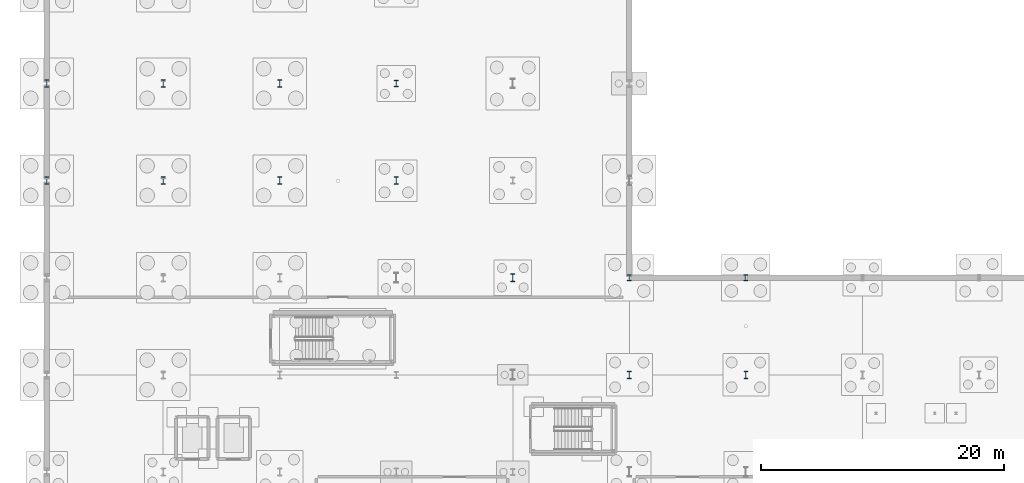
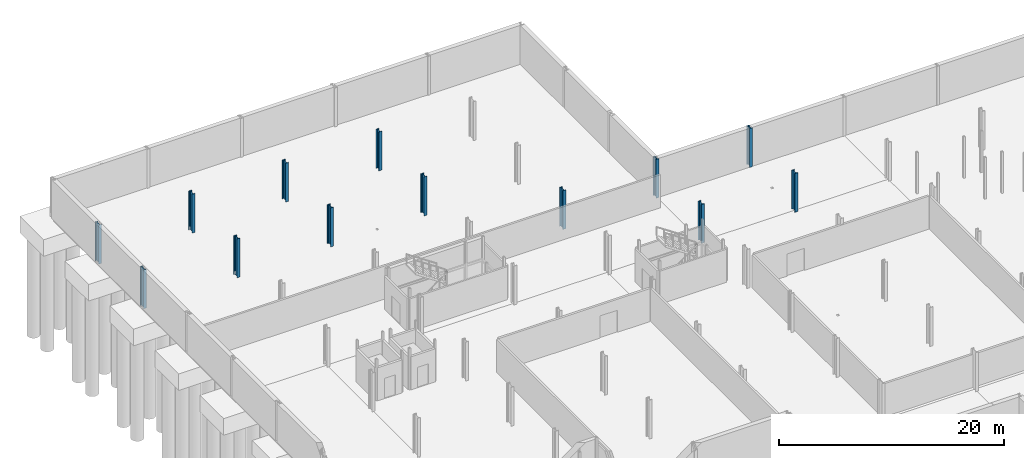
# One storey, part 21 of 47: 13 columns.
"""IFC4 building model written with IfcOpenShell, lengths in metres."""

from ifc_helpers import new_model, si_unit, direction, frame, origin, origin_2d, place, context, subcontext, project, spatial, i_section, extrude, material, material_profile, profile_set, type_object, element, save


model = new_model("IFC4")

# Units and contexts
model_context = context("Model", 3, precision=1e-05, world=origin(), true_north=direction((0.0, 1.0)))
body_context = subcontext(model_context, "Body", "Model", "MODEL_VIEW")
ifc_project = project(units=[si_unit("LENGTHUNIT", "METRE"), si_unit("AREAUNIT", "SQUARE_METRE"), si_unit("VOLUMEUNIT", "CUBIC_METRE"), si_unit("PLANEANGLEUNIT", "RADIAN"), si_unit("MASSUNIT", "GRAM", prefix="KILO")], contexts=[model_context])

# Site, building, storey
site_placement = place(None, origin())
site = spatial("IfcSite", under=ifc_project, at=site_placement, CompositionType="ELEMENT")
building_placement = place(site_placement, origin())
building = spatial("IfcBuilding", under=site, at=building_placement, Name="Alderhovde Museum", CompositionType="ELEMENT")
storey_placement = place(building_placement, frame((0.0, 0.0, -4.5)))
storey = spatial("IfcBuildingStorey", under=building, at=storey_placement, Name="B1", CompositionType="ELEMENT", Elevation=-4.5)

# Columns
ifc_material_1 = material(Name="Steel S355J2", Category="steel")
ifc_material_profile_1 = material_profile(ifc_material_1, i_section(OverallWidth=0.305908203125, OverallDepth=0.52392578125, WebThickness=0.02099609375, FlangeThickness=0.0400390625, FilletRadius=0.027099609375, at=origin_2d()), Name="HEM 500")
ifc_profile_set_1 = profile_set([ifc_material_profile_1], Name="Steel S355J2")
column_type_1 = type_object("IfcColumnType", Name="COL-HEM500", PredefinedType="COLUMN", material=ifc_profile_set_1)
for number, where, z_axis, x_axis, name in (
    (1, (38.39990234375, 104.0, 0.0), (0.0, 0.0, 1.0), (1.0, 0.0, 0.0), "B1 Column (38.4, 104.0)"),
    (2, (57.60009765625, 88.0, 0.0), (0.0, 0.0, 1.0), (1.0, 0.0, 0.0), "B1 Column (57.6, 88.0)"),
    (3, (67.199951171875, 88.0, 0.0), (0.0, 0.0, 1.0), (1.0, 0.0, 0.0), "B1 Column (67.2, 88.0)"),
):
    element("IfcColumn", number, at=place(storey_placement, frame(where, z_axis=z_axis, x_axis=x_axis)), inside=storey, type_object=column_type_1, Name=name, PredefinedType="COLUMN", context=body_context, shape_type="SweptSolid", body=[
        extrude(i_section(OverallWidth=0.305908203125, OverallDepth=0.52392578125, WebThickness=0.02099609375, FlangeThickness=0.0400390625, FilletRadius=0.027099609375, at=origin_2d()), origin(), (0.0, 0.0, 1.0), 4.219970703125),
    ])
ifc_material_2 = material(Name="Steel S355J2", Category="steel")
ifc_material_profile_2 = material_profile(ifc_material_2, i_section(OverallWidth=0.304931640625, OverallDepth=0.6201171875, WebThickness=0.02099609375, FlangeThickness=0.0400390625, FilletRadius=0.027099609375, at=origin_2d()), Name="HEM 600")
ifc_profile_set_2 = profile_set([ifc_material_profile_2], Name="Steel S355J2")
column_type_2 = type_object("IfcColumnType", Name="COL-HEM600", PredefinedType="COLUMN", material=ifc_profile_set_2)
for number, where, z_axis, x_axis, name in (
    (4, (9.60009765625, 96.0, 0.0), (0.0, 0.0, 1.0), (1.0, 0.0, 0.0), "B1 Column (9.6, 96.0)"),
    (5, (9.60009765625, 104.0, 0.0), (0.0, 0.0, 1.0), (1.0, 0.0, 0.0), "B1 Column (9.6, 104.0)"),
    (6, (19.199951171875, 96.0, 0.0), (0.0, 0.0, 1.0), (1.0, 0.0, 0.0), "B1 Column (19.2, 96.0)"),
    (7, (19.199951171875, 104.0, 0.0), (0.0, 0.0, 1.0), (1.0, 0.0, 0.0), "B1 Column (19.2, 104.0)"),
    (8, (28.800048828125, 96.0, 0.0), (0.0, 0.0, 1.0), (1.0, 0.0, 0.0), "B1 Column (28.8, 96.0)"),
    (9, (28.800048828125, 104.0, 0.0), (0.0, 0.0, 1.0), (1.0, 0.0, 0.0), "B1 Column (28.8, 104.0)"),
    (10, (38.39990234375, 96.0, 0.0), (0.0, 0.0, 1.0), (1.0, 0.0, 0.0), "B1 Column (38.4, 96.0)"),
    (11, (48.0, 88.0, 0.0), (0.0, 0.0, 1.0), (1.0, 0.0, 0.0), "B1 Column (48.0, 88.0)"),
    (12, (57.60009765625, 80.0, 0.0), (0.0, 0.0, 1.0), (1.0, 0.0, 0.0), "B1 Column (57.6, 80.0)"),
    (13, (67.199951171875, 80.0, 0.0), (0.0, 0.0, 1.0), (1.0, 0.0, 0.0), "B1 Column (67.2, 80.0)"),
):
    element("IfcColumn", number, at=place(storey_placement, frame(where, z_axis=z_axis, x_axis=x_axis)), inside=storey, type_object=column_type_2, Name=name, PredefinedType="COLUMN", context=body_context, shape_type="SweptSolid", body=[
        extrude(i_section(OverallWidth=0.304931640625, OverallDepth=0.6201171875, WebThickness=0.02099609375, FlangeThickness=0.0400390625, FilletRadius=0.027099609375, at=origin_2d()), origin(), (0.0, 0.0, 1.0), 4.219970703125),
    ])

save(model, "model.ifc")
